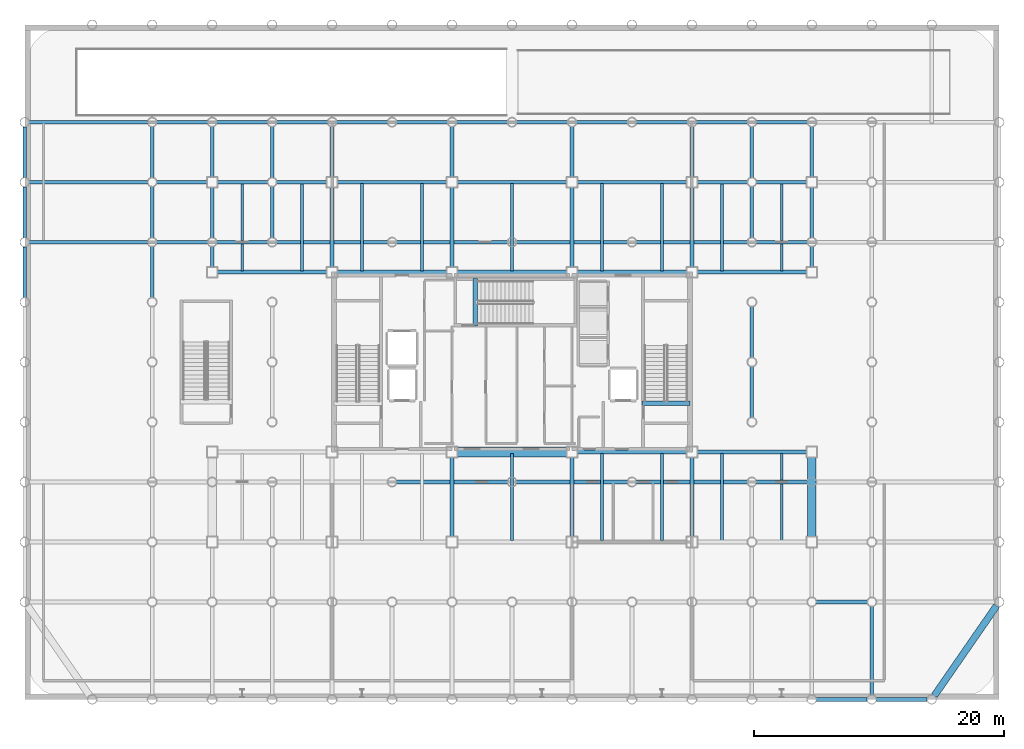
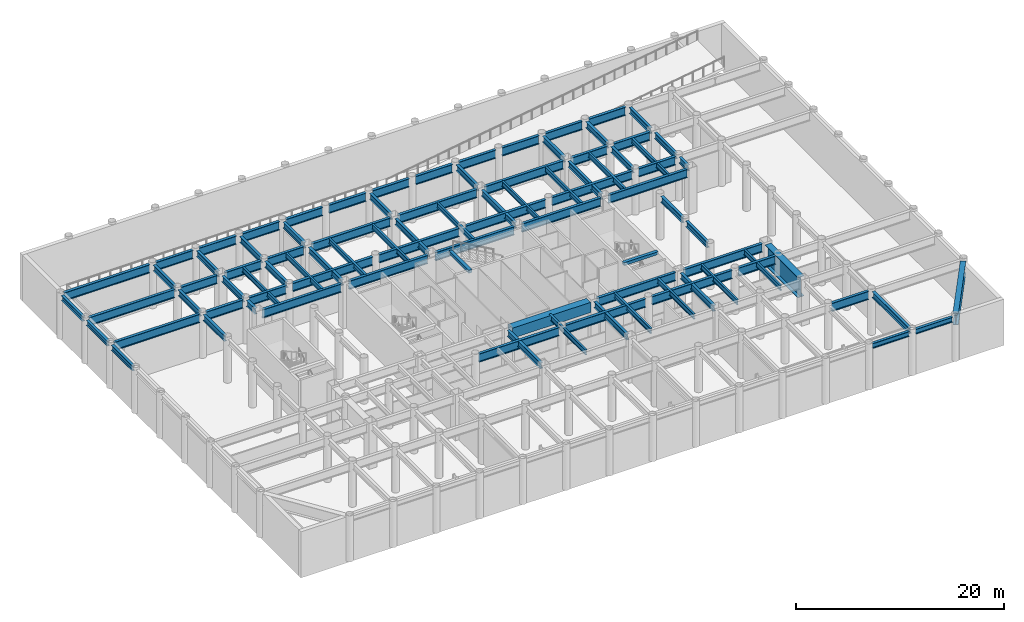
# One storey, part 6 of 16: 92 beams.
"""IFC4 building model written with IfcOpenShell, lengths in metres."""

from ifc_helpers import new_model, si_unit, direction, frame, origin, origin_2d, place, context, subcontext, project, spatial, rectangle, i_section, extrude, material, material_profile, profile_set, type_object, element, save


model = new_model("IFC4")

# Units and contexts
model_context = context("Model", 3, precision=1e-05, world=origin(), true_north=direction((0.0, 1.0)))
body_context = subcontext(model_context, "Body", "Model", "MODEL_VIEW")
ifc_project = project(units=[si_unit("LENGTHUNIT", "METRE"), si_unit("AREAUNIT", "SQUARE_METRE"), si_unit("VOLUMEUNIT", "CUBIC_METRE"), si_unit("PLANEANGLEUNIT", "RADIAN"), si_unit("MASSUNIT", "GRAM", prefix="KILO")], contexts=[model_context])

# Site, building, storey
site_placement = place(None, origin())
site = spatial("IfcSite", under=ifc_project, at=site_placement, CompositionType="ELEMENT")
building_placement = place(site_placement, origin())
building = spatial("IfcBuilding", under=site, at=building_placement, Name="Kallvorn Hotel Tower", CompositionType="ELEMENT")
storey_placement = place(building_placement, frame((0.0, 0.0, -5.39990234375)))
storey = spatial("IfcBuildingStorey", under=building, at=storey_placement, Name="B1", CompositionType="ELEMENT", Elevation=-5.39990234375)

# Beams
ifc_material_1 = material(Name="Structural steel S355JR", Category="steel")
ifc_material_profile_1 = material_profile(ifc_material_1, i_section(OverallWidth=0.300048828125, OverallDepth=1.0, WebThickness=0.01904296875, FlangeThickness=0.035888671875, at=origin_2d()), Name="HE 1000 B")
ifc_profile_set_1 = profile_set([ifc_material_profile_1], Name="Structural steel S355JR")
beam_type_1 = type_object("IfcBeamType", Name="BM_HE1000B", PredefinedType="BEAM", material=ifc_profile_set_1)
beam_1_placement = place(storey_placement, frame((24.35595703125, -19.199951171875, 4.64990234375), z_axis=(1.0, 0.0, 0.0), x_axis=(0.0, 1.0, 0.0)))
element("IfcBeam", 1, at=beam_1_placement, inside=storey, type_object=beam_type_1, Name="L00 Primary X-Girder 15", PredefinedType="BEAM", context=body_context, shape_type="SweptSolid", body=[
    extrude(i_section(OverallWidth=0.300048828125, OverallDepth=1.0, WebThickness=0.01904296875, FlangeThickness=0.035888671875, at=origin_2d()), origin(), (0.0, 0.0, 1.0), 4.088134765625),
])
for number, where, z_axis, x_axis, name in (
    (2, (-9.243896484375, -9.60009765625, 4.64990234375), (1.0, 0.0, 0.0), (0.0, 1.0, 0.0), "L00 Primary X-Girder 32"),
    (3, (0.35595703125, -9.60009765625, 4.64990234375), (1.0, 0.0, 0.0), (0.0, 1.0, 0.0), "L00 Primary X-Girder 33"),
    (4, (9.9560546875, -9.60009765625, 4.64990234375), (1.0, 0.0, 0.0), (0.0, 1.0, 0.0), "L00 Primary X-Girder 34"),
):
    element("IfcBeam", number, at=place(storey_placement, frame(where, z_axis=z_axis, x_axis=x_axis)), inside=storey, type_object=beam_type_1, Name=name, PredefinedType="BEAM", context=body_context, shape_type="SweptSolid", body=[
        extrude(i_section(OverallWidth=0.300048828125, OverallDepth=1.0, WebThickness=0.01904296875, FlangeThickness=0.035888671875, at=origin_2d()), origin(), (0.0, 0.0, 1.0), 8.887939453125),
    ])
beam_2_placement = place(storey_placement, frame((19.555908203125, -9.60009765625, 4.64990234375), z_axis=(1.0, 0.0, 0.0), x_axis=(0.0, 1.0, 0.0)))
element("IfcBeam", 5, at=beam_2_placement, inside=storey, type_object=beam_type_1, Name="L00 Primary X-Girder 35", PredefinedType="BEAM", context=body_context, shape_type="SweptSolid", body=[
    extrude(i_section(OverallWidth=0.300048828125, OverallDepth=1.0, WebThickness=0.01904296875, FlangeThickness=0.035888671875, at=origin_2d()), origin(), (0.0, 0.0, 1.0), 4.088134765625),
])
for number, where, z_axis, x_axis, name in (
    (6, (5.22509765625, -7.199951171875, 4.64990234375), (1.0, 0.0, 0.0), (0.0, 1.0, 0.0), "L00 Primary X-Girder 40"),
    (7, (14.824951171875, -7.199951171875, 4.64990234375), (1.0, 0.0, 0.0), (0.0, 1.0, 0.0), "L00 Primary X-Girder 41"),
    (8, (-23.574951171875, 7.199951171875, 4.64990234375), (1.0, 0.0, 0.0), (0.0, 1.0, 0.0), "L00 Primary X-Girder 42"),
    (9, (-13.97509765625, 7.199951171875, 4.64990234375), (1.0, 0.0, 0.0), (0.0, 1.0, 0.0), "L00 Primary X-Girder 43"),
    (10, (-4.375, 7.199951171875, 4.64990234375), (1.0, 0.0, 0.0), (0.0, 1.0, 0.0), "L00 Primary X-Girder 44"),
    (11, (5.22509765625, 7.199951171875, 4.64990234375), (1.0, 0.0, 0.0), (0.0, 1.0, 0.0), "L00 Primary X-Girder 45"),
    (12, (14.824951171875, 7.199951171875, 4.64990234375), (1.0, 0.0, 0.0), (0.0, 1.0, 0.0), "L00 Primary X-Girder 46"),
):
    element("IfcBeam", number, at=place(storey_placement, frame(where, z_axis=z_axis, x_axis=x_axis)), inside=storey, type_object=beam_type_1, Name=name, PredefinedType="BEAM", context=body_context, shape_type="SweptSolid", body=[
        extrude(i_section(OverallWidth=0.300048828125, OverallDepth=1.0, WebThickness=0.01904296875, FlangeThickness=0.035888671875, at=origin_2d()), origin(), (0.0, 0.0, 1.0), 8.75),
    ])
beam_3_placement = place(storey_placement, frame((-38.64404296875, 9.60009765625, 4.64990234375), z_axis=(1.0, 0.0, 0.0), x_axis=(0.0, 1.0, 0.0)))
element("IfcBeam", 13, at=beam_3_placement, inside=storey, type_object=beam_type_1, Name="L00 Primary X-Girder 47", PredefinedType="BEAM", context=body_context, shape_type="SweptSolid", body=[
    extrude(i_section(OverallWidth=0.300048828125, OverallDepth=1.0, WebThickness=0.01904296875, FlangeThickness=0.035888671875, at=origin_2d()), origin(), (0.0, 0.0, 1.0), 9.488037109375),
])
for number, where, z_axis, x_axis, name in (
    (14, (-28.444091796875, 9.60009765625, 4.64990234375), (1.0, 0.0, 0.0), (0.0, 1.0, 0.0), "L00 Primary X-Girder 48"),
    (15, (-23.64404296875, 9.60009765625, 4.64990234375), (1.0, 0.0, 0.0), (0.0, 1.0, 0.0), "L00 Primary X-Girder 49"),
):
    element("IfcBeam", number, at=place(storey_placement, frame(where, z_axis=z_axis, x_axis=x_axis)), inside=storey, type_object=beam_type_1, Name=name, PredefinedType="BEAM", context=body_context, shape_type="SweptSolid", body=[
        extrude(i_section(OverallWidth=0.300048828125, OverallDepth=1.0, WebThickness=0.01904296875, FlangeThickness=0.035888671875, at=origin_2d()), origin(), (0.0, 0.0, 1.0), 4.088134765625),
    ])
for number, where, z_axis, x_axis, name in (
    (16, (-18.843994140625, 9.60009765625, 4.64990234375), (1.0, 0.0, 0.0), (0.0, 1.0, 0.0), "L00 Primary X-Girder 50"),
    (17, (-9.243896484375, 9.60009765625, 4.64990234375), (1.0, 0.0, 0.0), (0.0, 1.0, 0.0), "L00 Primary X-Girder 51"),
    (18, (0.35595703125, 9.60009765625, 4.64990234375), (1.0, 0.0, 0.0), (0.0, 1.0, 0.0), "L00 Primary X-Girder 52"),
    (19, (9.9560546875, 9.60009765625, 4.64990234375), (1.0, 0.0, 0.0), (0.0, 1.0, 0.0), "L00 Primary X-Girder 53"),
):
    element("IfcBeam", number, at=place(storey_placement, frame(where, z_axis=z_axis, x_axis=x_axis)), inside=storey, type_object=beam_type_1, Name=name, PredefinedType="BEAM", context=body_context, shape_type="SweptSolid", body=[
        extrude(i_section(OverallWidth=0.300048828125, OverallDepth=1.0, WebThickness=0.01904296875, FlangeThickness=0.035888671875, at=origin_2d()), origin(), (0.0, 0.0, 1.0), 8.887939453125),
    ])
beam_4_placement = place(storey_placement, frame((19.555908203125, 9.60009765625, 4.64990234375), z_axis=(1.0, 0.0, 0.0), x_axis=(0.0, 1.0, 0.0)))
element("IfcBeam", 20, at=beam_4_placement, inside=storey, type_object=beam_type_1, Name="L00 Primary X-Girder 54", PredefinedType="BEAM", context=body_context, shape_type="SweptSolid", body=[
    extrude(i_section(OverallWidth=0.300048828125, OverallDepth=1.0, WebThickness=0.01904296875, FlangeThickness=0.035888671875, at=origin_2d()), origin(), (0.0, 0.0, 1.0), 4.088134765625),
])
beam_5_placement = place(storey_placement, frame((-38.64404296875, 14.39990234375, 4.64990234375), z_axis=(1.0, 0.0, 0.0), x_axis=(0.0, 1.0, 0.0)))
element("IfcBeam", 21, at=beam_5_placement, inside=storey, type_object=beam_type_1, Name="L00 Primary X-Girder 57", PredefinedType="BEAM", context=body_context, shape_type="SweptSolid", body=[
    extrude(i_section(OverallWidth=0.300048828125, OverallDepth=1.0, WebThickness=0.01904296875, FlangeThickness=0.035888671875, at=origin_2d()), origin(), (0.0, 0.0, 1.0), 9.488037109375),
])
for number, where, z_axis, x_axis, name in (
    (22, (-28.444091796875, 14.39990234375, 4.64990234375), (1.0, 0.0, 0.0), (0.0, 1.0, 0.0), "L00 Primary X-Girder 58"),
    (23, (-23.574951171875, 14.39990234375, 4.64990234375), (1.0, 0.0, 0.0), (0.0, 1.0, 0.0), "L00 Primary X-Girder 59"),
    (24, (-18.843994140625, 14.39990234375, 4.64990234375), (1.0, 0.0, 0.0), (0.0, 1.0, 0.0), "L00 Primary X-Girder 60"),
):
    element("IfcBeam", number, at=place(storey_placement, frame(where, z_axis=z_axis, x_axis=x_axis)), inside=storey, type_object=beam_type_1, Name=name, PredefinedType="BEAM", context=body_context, shape_type="SweptSolid", body=[
        extrude(i_section(OverallWidth=0.300048828125, OverallDepth=1.0, WebThickness=0.01904296875, FlangeThickness=0.035888671875, at=origin_2d()), origin(), (0.0, 0.0, 1.0), 4.01904296875),
    ])
for number, where, z_axis, x_axis, name in (
    (25, (-13.97509765625, 14.39990234375, 4.64990234375), (1.0, 0.0, 0.0), (0.0, 1.0, 0.0), "L00 Primary X-Girder 61"),
    (26, (-4.375, 14.39990234375, 4.64990234375), (1.0, 0.0, 0.0), (0.0, 1.0, 0.0), "L00 Primary X-Girder 62"),
    (27, (5.22509765625, 14.39990234375, 4.64990234375), (1.0, 0.0, 0.0), (0.0, 1.0, 0.0), "L00 Primary X-Girder 63"),
):
    element("IfcBeam", number, at=place(storey_placement, frame(where, z_axis=z_axis, x_axis=x_axis)), inside=storey, type_object=beam_type_1, Name=name, PredefinedType="BEAM", context=body_context, shape_type="SweptSolid", body=[
        extrude(i_section(OverallWidth=0.300048828125, OverallDepth=1.0, WebThickness=0.01904296875, FlangeThickness=0.035888671875, at=origin_2d()), origin(), (0.0, 0.0, 1.0), 8.75),
    ])
for number, where, z_axis, x_axis, name in (
    (28, (14.824951171875, 14.39990234375, 4.64990234375), (1.0, 0.0, 0.0), (0.0, 1.0, 0.0), "L00 Primary X-Girder 64"),
    (29, (19.555908203125, 14.39990234375, 4.64990234375), (1.0, 0.0, 0.0), (0.0, 1.0, 0.0), "L00 Primary X-Girder 65"),
):
    element("IfcBeam", number, at=place(storey_placement, frame(where, z_axis=z_axis, x_axis=x_axis)), inside=storey, type_object=beam_type_1, Name=name, PredefinedType="BEAM", context=body_context, shape_type="SweptSolid", body=[
        extrude(i_section(OverallWidth=0.300048828125, OverallDepth=1.0, WebThickness=0.01904296875, FlangeThickness=0.035888671875, at=origin_2d()), origin(), (0.0, 0.0, 1.0), 4.01904296875),
    ])
beam_6_placement = place(storey_placement, frame((-38.64404296875, 19.199951171875, 4.64990234375), z_axis=(1.0, 0.0, 0.0), x_axis=(0.0, 1.0, 0.0)))
element("IfcBeam", 30, at=beam_6_placement, inside=storey, type_object=beam_type_1, Name="L00 Primary X-Girder 68", PredefinedType="BEAM", context=body_context, shape_type="SweptSolid", body=[
    extrude(i_section(OverallWidth=0.300048828125, OverallDepth=1.0, WebThickness=0.01904296875, FlangeThickness=0.035888671875, at=origin_2d()), origin(), (0.0, 0.0, 1.0), 9.488037109375),
])
for number, where, z_axis, x_axis, name in (
    (31, (-28.444091796875, 19.199951171875, 4.64990234375), (1.0, 0.0, 0.0), (0.0, 1.0, 0.0), "L00 Primary X-Girder 69"),
    (32, (-23.64404296875, 19.199951171875, 4.64990234375), (1.0, 0.0, 0.0), (0.0, 1.0, 0.0), "L00 Primary X-Girder 70"),
):
    element("IfcBeam", number, at=place(storey_placement, frame(where, z_axis=z_axis, x_axis=x_axis)), inside=storey, type_object=beam_type_1, Name=name, PredefinedType="BEAM", context=body_context, shape_type="SweptSolid", body=[
        extrude(i_section(OverallWidth=0.300048828125, OverallDepth=1.0, WebThickness=0.01904296875, FlangeThickness=0.035888671875, at=origin_2d()), origin(), (0.0, 0.0, 1.0), 4.088134765625),
    ])
for number, where, z_axis, x_axis, name in (
    (33, (-18.843994140625, 19.199951171875, 4.64990234375), (1.0, 0.0, 0.0), (0.0, 1.0, 0.0), "L00 Primary X-Girder 71"),
    (34, (-14.0439453125, 19.199951171875, 4.64990234375), (1.0, 0.0, 0.0), (0.0, 1.0, 0.0), "L00 Primary X-Girder 72"),
    (35, (-9.243896484375, 19.199951171875, 4.64990234375), (1.0, 0.0, 0.0), (0.0, 1.0, 0.0), "L00 Primary X-Girder 73"),
):
    element("IfcBeam", number, at=place(storey_placement, frame(where, z_axis=z_axis, x_axis=x_axis)), inside=storey, type_object=beam_type_1, Name=name, PredefinedType="BEAM", context=body_context, shape_type="SweptSolid", body=[
        extrude(i_section(OverallWidth=0.300048828125, OverallDepth=1.0, WebThickness=0.01904296875, FlangeThickness=0.035888671875, at=origin_2d()), origin(), (0.0, 0.0, 1.0), 4.087890625),
    ])
for number, where, z_axis, x_axis, name in (
    (36, (-4.444091796875, 19.199951171875, 4.64990234375), (1.0, 0.0, 0.0), (0.0, 1.0, 0.0), "L00 Primary X-Girder 74"),
    (37, (0.35595703125, 19.199951171875, 4.64990234375), (1.0, 0.0, 0.0), (0.0, 1.0, 0.0), "L00 Primary X-Girder 75"),
):
    element("IfcBeam", number, at=place(storey_placement, frame(where, z_axis=z_axis, x_axis=x_axis)), inside=storey, type_object=beam_type_1, Name=name, PredefinedType="BEAM", context=body_context, shape_type="SweptSolid", body=[
        extrude(i_section(OverallWidth=0.300048828125, OverallDepth=1.0, WebThickness=0.01904296875, FlangeThickness=0.035888671875, at=origin_2d()), origin(), (0.0, 0.0, 1.0), 4.088134765625),
    ])
for number, where, z_axis, x_axis, name in (
    (38, (5.156005859375, 19.199951171875, 4.64990234375), (1.0, 0.0, 0.0), (0.0, 1.0, 0.0), "L00 Primary X-Girder 76"),
    (39, (9.9560546875, 19.199951171875, 4.64990234375), (1.0, 0.0, 0.0), (0.0, 1.0, 0.0), "L00 Primary X-Girder 77"),
    (40, (14.756103515625, 19.199951171875, 4.64990234375), (1.0, 0.0, 0.0), (0.0, 1.0, 0.0), "L00 Primary X-Girder 78"),
):
    element("IfcBeam", number, at=place(storey_placement, frame(where, z_axis=z_axis, x_axis=x_axis)), inside=storey, type_object=beam_type_1, Name=name, PredefinedType="BEAM", context=body_context, shape_type="SweptSolid", body=[
        extrude(i_section(OverallWidth=0.300048828125, OverallDepth=1.0, WebThickness=0.01904296875, FlangeThickness=0.035888671875, at=origin_2d()), origin(), (0.0, 0.0, 1.0), 4.087890625),
    ])
beam_7_placement = place(storey_placement, frame((19.555908203125, 19.199951171875, 4.64990234375), z_axis=(1.0, 0.0, 0.0), x_axis=(0.0, 1.0, 0.0)))
element("IfcBeam", 41, at=beam_7_placement, inside=storey, type_object=beam_type_1, Name="L00 Primary X-Girder 79", PredefinedType="BEAM", context=body_context, shape_type="SweptSolid", body=[
    extrude(i_section(OverallWidth=0.300048828125, OverallDepth=1.0, WebThickness=0.01904296875, FlangeThickness=0.035888671875, at=origin_2d()), origin(), (0.0, 0.0, 1.0), 4.088134765625),
])
ifc_material_2 = material(Name="Structural steel S355JR", Category="steel")
ifc_material_profile_2 = material_profile(ifc_material_2, i_section(OverallWidth=0.300048828125, OverallDepth=0.60009765625, WebThickness=0.015380859375, FlangeThickness=0.030029296875, at=origin_2d()), Name="HE 600 B")
ifc_profile_set_2 = profile_set([ifc_material_profile_2], Name="Structural steel S355JR")
beam_type_2 = type_object("IfcBeamType", Name="BM_HE600B", PredefinedType="SPANDREL", material=ifc_profile_set_2)
beam_8_placement = place(storey_placement, frame((24.37109375, -27.0, 4.849853515625), z_axis=(1.0, 0.0, 0.0), x_axis=(0.0, 1.0, 0.0)))
element("IfcBeam", 42, at=beam_8_placement, inside=storey, type_object=beam_type_2, Name="L00 Perimeter Spandrel 186", PredefinedType="SPANDREL", context=body_context, shape_type="SweptSolid", body=[
    extrude(i_section(OverallWidth=0.300048828125, OverallDepth=0.60009765625, WebThickness=0.015380859375, FlangeThickness=0.030029296875, at=origin_2d()), origin(), (0.0, 0.0, 1.0), 4.057861328125),
])
for number, where, z_axis, x_axis, name in (
    (43, (29.1708984375, -27.0, 4.849853515625), (1.0, 0.0, 0.0), (0.0, 1.0, 0.0), "L00 Perimeter Spandrel 187"),
    (44, (-39.0, 5.1708984375, 4.849853515625), (0.0, 1.0, 0.0), (-1.0, 0.0, 0.0), "L00 Perimeter Spandrel 207"),
    (45, (-39.0, 9.970947265625, 4.849853515625), (0.0, 1.0, 0.0), (-1.0, 0.0, 0.0), "L00 Perimeter Spandrel 208"),
    (46, (-39.0, 14.77099609375, 4.849853515625), (0.0, 1.0, 0.0), (-1.0, 0.0, 0.0), "L00 Perimeter Spandrel 209"),
):
    element("IfcBeam", number, at=place(storey_placement, frame(where, z_axis=z_axis, x_axis=x_axis)), inside=storey, type_object=beam_type_2, Name=name, PredefinedType="SPANDREL", context=body_context, shape_type="SweptSolid", body=[
        extrude(i_section(OverallWidth=0.300048828125, OverallDepth=0.60009765625, WebThickness=0.015380859375, FlangeThickness=0.030029296875, at=origin_2d()), origin(), (0.0, 0.0, 1.0), 4.05810546875),
    ])
ifc_material_3 = material(Name="Structural steel S355JR", Category="steel")
ifc_material_profile_3 = material_profile(ifc_material_3, i_section(OverallWidth=0.300048828125, OverallDepth=0.699951171875, WebThickness=0.01708984375, FlangeThickness=0.031982421875, at=origin_2d()), Name="HE 700 B")
ifc_profile_set_3 = profile_set([ifc_material_profile_3], Name="Structural steel S355JR")
beam_type_3 = type_object("IfcBeamType", Name="BM_HE700B", PredefinedType="BEAM", material=ifc_profile_set_3)
for number, where, z_axis, x_axis, name in (
    (47, (-28.800048828125, 5.156005859375, 4.7998046875), (0.0, 1.0, 0.0), (-1.0, 0.0, 0.0), "L00 Primary Y-Girder 88"),
    (48, (-28.800048828125, 9.9560546875, 4.7998046875), (0.0, 1.0, 0.0), (-1.0, 0.0, 0.0), "L00 Primary Y-Girder 89"),
    (49, (-28.800048828125, 14.756103515625, 4.7998046875), (0.0, 1.0, 0.0), (-1.0, 0.0, 0.0), "L00 Primary Y-Girder 90"),
):
    element("IfcBeam", number, at=place(storey_placement, frame(where, z_axis=z_axis, x_axis=x_axis)), inside=storey, type_object=beam_type_3, Name=name, PredefinedType="BEAM", context=body_context, shape_type="SweptSolid", body=[
        extrude(i_section(OverallWidth=0.300048828125, OverallDepth=0.699951171875, WebThickness=0.01708984375, FlangeThickness=0.031982421875, at=origin_2d()), origin(), (0.0, 0.0, 1.0), 4.087890625),
    ])
beam_9_placement = place(storey_placement, frame((-24.0, 7.625, 4.7998046875), z_axis=(0.0, 1.0, 0.0), x_axis=(-1.0, 0.0, 0.0)))
element("IfcBeam", 50, at=beam_9_placement, inside=storey, type_object=beam_type_3, Name="L00 Primary Y-Girder 96", PredefinedType="BEAM", context=body_context, shape_type="SweptSolid", body=[
    extrude(i_section(OverallWidth=0.300048828125, OverallDepth=0.699951171875, WebThickness=0.01708984375, FlangeThickness=0.031982421875, at=origin_2d()), origin(), (0.0, 0.0, 1.0), 1.618896484375),
])
for number, where, z_axis, x_axis, name in (
    (51, (-24.0, 9.9560546875, 4.7998046875), (0.0, 1.0, 0.0), (-1.0, 0.0, 0.0), "L00 Primary Y-Girder 97"),
    (52, (-24.0, 14.824951171875, 4.7998046875), (0.0, 1.0, 0.0), (-1.0, 0.0, 0.0), "L00 Primary Y-Girder 98"),
):
    element("IfcBeam", number, at=place(storey_placement, frame(where, z_axis=z_axis, x_axis=x_axis)), inside=storey, type_object=beam_type_3, Name=name, PredefinedType="BEAM", context=body_context, shape_type="SweptSolid", body=[
        extrude(i_section(OverallWidth=0.300048828125, OverallDepth=0.699951171875, WebThickness=0.01708984375, FlangeThickness=0.031982421875, at=origin_2d()), origin(), (0.0, 0.0, 1.0), 4.01904296875),
    ])
for number, where, z_axis, x_axis, name in (
    (53, (-19.199951171875, 9.9560546875, 4.7998046875), (0.0, 1.0, 0.0), (-1.0, 0.0, 0.0), "L00 Primary Y-Girder 107"),
    (54, (-19.199951171875, 14.756103515625, 4.7998046875), (0.0, 1.0, 0.0), (-1.0, 0.0, 0.0), "L00 Primary Y-Girder 108"),
):
    element("IfcBeam", number, at=place(storey_placement, frame(where, z_axis=z_axis, x_axis=x_axis)), inside=storey, type_object=beam_type_3, Name=name, PredefinedType="BEAM", context=body_context, shape_type="SweptSolid", body=[
        extrude(i_section(OverallWidth=0.300048828125, OverallDepth=0.699951171875, WebThickness=0.01708984375, FlangeThickness=0.031982421875, at=origin_2d()), origin(), (0.0, 0.0, 1.0), 4.087890625),
    ])
beam_10_placement = place(storey_placement, frame((-14.39990234375, 7.625, 4.7998046875), z_axis=(0.0, 1.0, 0.0), x_axis=(-1.0, 0.0, 0.0)))
element("IfcBeam", 55, at=beam_10_placement, inside=storey, type_object=beam_type_3, Name="L00 Primary Y-Girder 113", PredefinedType="BEAM", context=body_context, shape_type="SweptSolid", body=[
    extrude(i_section(OverallWidth=0.300048828125, OverallDepth=0.699951171875, WebThickness=0.01708984375, FlangeThickness=0.031982421875, at=origin_2d()), origin(), (0.0, 0.0, 1.0), 6.35009765625),
])
beam_11_placement = place(storey_placement, frame((-14.39990234375, 14.824951171875, 4.7998046875), z_axis=(0.0, 1.0, 0.0), x_axis=(-1.0, 0.0, 0.0)))
element("IfcBeam", 56, at=beam_11_placement, inside=storey, type_object=beam_type_3, Name="L00 Primary Y-Girder 114", PredefinedType="BEAM", context=body_context, shape_type="SweptSolid", body=[
    extrude(i_section(OverallWidth=0.300048828125, OverallDepth=0.699951171875, WebThickness=0.01708984375, FlangeThickness=0.031982421875, at=origin_2d()), origin(), (0.0, 0.0, 1.0), 4.01904296875),
])
for number, where, z_axis, x_axis, name in (
    (57, (-4.800048828125, -13.97509765625, 4.7998046875), (0.0, 1.0, 0.0), (-1.0, 0.0, 0.0), "L00 Primary Y-Girder 122"),
    (58, (-4.800048828125, 7.625, 4.7998046875), (0.0, 1.0, 0.0), (-1.0, 0.0, 0.0), "L00 Primary Y-Girder 123"),
):
    element("IfcBeam", number, at=place(storey_placement, frame(where, z_axis=z_axis, x_axis=x_axis)), inside=storey, type_object=beam_type_3, Name=name, PredefinedType="BEAM", context=body_context, shape_type="SweptSolid", body=[
        extrude(i_section(OverallWidth=0.300048828125, OverallDepth=0.699951171875, WebThickness=0.01708984375, FlangeThickness=0.031982421875, at=origin_2d()), origin(), (0.0, 0.0, 1.0), 6.35009765625),
    ])
beam_12_placement = place(storey_placement, frame((-4.800048828125, 14.824951171875, 4.7998046875), z_axis=(0.0, 1.0, 0.0), x_axis=(-1.0, 0.0, 0.0)))
element("IfcBeam", 59, at=beam_12_placement, inside=storey, type_object=beam_type_3, Name="L00 Primary Y-Girder 124", PredefinedType="BEAM", context=body_context, shape_type="SweptSolid", body=[
    extrude(i_section(OverallWidth=0.300048828125, OverallDepth=0.699951171875, WebThickness=0.01708984375, FlangeThickness=0.031982421875, at=origin_2d()), origin(), (0.0, 0.0, 1.0), 4.01904296875),
])
for number, where, z_axis, x_axis, name in (
    (60, (4.800048828125, -13.97509765625, 4.7998046875), (0.0, 1.0, 0.0), (-1.0, 0.0, 0.0), "L00 Primary Y-Girder 132"),
    (61, (4.800048828125, 7.625, 4.7998046875), (0.0, 1.0, 0.0), (-1.0, 0.0, 0.0), "L00 Primary Y-Girder 133"),
):
    element("IfcBeam", number, at=place(storey_placement, frame(where, z_axis=z_axis, x_axis=x_axis)), inside=storey, type_object=beam_type_3, Name=name, PredefinedType="BEAM", context=body_context, shape_type="SweptSolid", body=[
        extrude(i_section(OverallWidth=0.300048828125, OverallDepth=0.699951171875, WebThickness=0.01708984375, FlangeThickness=0.031982421875, at=origin_2d()), origin(), (0.0, 0.0, 1.0), 6.35009765625),
    ])
beam_13_placement = place(storey_placement, frame((4.800048828125, 14.824951171875, 4.7998046875), z_axis=(0.0, 1.0, 0.0), x_axis=(-1.0, 0.0, 0.0)))
element("IfcBeam", 62, at=beam_13_placement, inside=storey, type_object=beam_type_3, Name="L00 Primary Y-Girder 134", PredefinedType="BEAM", context=body_context, shape_type="SweptSolid", body=[
    extrude(i_section(OverallWidth=0.300048828125, OverallDepth=0.699951171875, WebThickness=0.01708984375, FlangeThickness=0.031982421875, at=origin_2d()), origin(), (0.0, 0.0, 1.0), 4.01904296875),
])
for number, where, z_axis, x_axis, name in (
    (63, (14.39990234375, -13.97509765625, 4.7998046875), (0.0, 1.0, 0.0), (-1.0, 0.0, 0.0), "L00 Primary Y-Girder 142"),
    (64, (14.39990234375, 7.625, 4.7998046875), (0.0, 1.0, 0.0), (-1.0, 0.0, 0.0), "L00 Primary Y-Girder 143"),
):
    element("IfcBeam", number, at=place(storey_placement, frame(where, z_axis=z_axis, x_axis=x_axis)), inside=storey, type_object=beam_type_3, Name=name, PredefinedType="BEAM", context=body_context, shape_type="SweptSolid", body=[
        extrude(i_section(OverallWidth=0.300048828125, OverallDepth=0.699951171875, WebThickness=0.01708984375, FlangeThickness=0.031982421875, at=origin_2d()), origin(), (0.0, 0.0, 1.0), 6.35009765625),
    ])
beam_14_placement = place(storey_placement, frame((14.39990234375, 14.824951171875, 4.7998046875), z_axis=(0.0, 1.0, 0.0), x_axis=(-1.0, 0.0, 0.0)))
element("IfcBeam", 65, at=beam_14_placement, inside=storey, type_object=beam_type_3, Name="L00 Primary Y-Girder 144", PredefinedType="BEAM", context=body_context, shape_type="SweptSolid", body=[
    extrude(i_section(OverallWidth=0.300048828125, OverallDepth=0.699951171875, WebThickness=0.01708984375, FlangeThickness=0.031982421875, at=origin_2d()), origin(), (0.0, 0.0, 1.0), 4.01904296875),
])
for number, where, z_axis, x_axis, name in (
    (66, (19.199951171875, -4.444091796875, 4.7998046875), (0.0, 1.0, 0.0), (-1.0, 0.0, 0.0), "L00 Primary Y-Girder 150"),
    (67, (19.199951171875, 0.35595703125, 4.7998046875), (0.0, 1.0, 0.0), (-1.0, 0.0, 0.0), "L00 Primary Y-Girder 151"),
):
    element("IfcBeam", number, at=place(storey_placement, frame(where, z_axis=z_axis, x_axis=x_axis)), inside=storey, type_object=beam_type_3, Name=name, PredefinedType="BEAM", context=body_context, shape_type="SweptSolid", body=[
        extrude(i_section(OverallWidth=0.300048828125, OverallDepth=0.699951171875, WebThickness=0.01708984375, FlangeThickness=0.031982421875, at=origin_2d()), origin(), (0.0, 0.0, 1.0), 4.088134765625),
    ])
for number, where, z_axis, x_axis, name in (
    (68, (19.199951171875, 9.9560546875, 4.7998046875), (0.0, 1.0, 0.0), (-1.0, 0.0, 0.0), "L00 Primary Y-Girder 153"),
    (69, (19.199951171875, 14.756103515625, 4.7998046875), (0.0, 1.0, 0.0), (-1.0, 0.0, 0.0), "L00 Primary Y-Girder 154"),
):
    element("IfcBeam", number, at=place(storey_placement, frame(where, z_axis=z_axis, x_axis=x_axis)), inside=storey, type_object=beam_type_3, Name=name, PredefinedType="BEAM", context=body_context, shape_type="SweptSolid", body=[
        extrude(i_section(OverallWidth=0.300048828125, OverallDepth=0.699951171875, WebThickness=0.01708984375, FlangeThickness=0.031982421875, at=origin_2d()), origin(), (0.0, 0.0, 1.0), 4.087890625),
    ])
beam_15_placement = place(storey_placement, frame((24.0, 7.625, 4.7998046875), z_axis=(0.0, 1.0, 0.0), x_axis=(-1.0, 0.0, 0.0)))
element("IfcBeam", 70, at=beam_15_placement, inside=storey, type_object=beam_type_3, Name="L00 Primary Y-Girder 160", PredefinedType="BEAM", context=body_context, shape_type="SweptSolid", body=[
    extrude(i_section(OverallWidth=0.300048828125, OverallDepth=0.699951171875, WebThickness=0.01708984375, FlangeThickness=0.031982421875, at=origin_2d()), origin(), (0.0, 0.0, 1.0), 1.618896484375),
])
for number, where, z_axis, x_axis, name in (
    (71, (24.0, 9.9560546875, 4.7998046875), (0.0, 1.0, 0.0), (-1.0, 0.0, 0.0), "L00 Primary Y-Girder 161"),
    (72, (24.0, 14.824951171875, 4.7998046875), (0.0, 1.0, 0.0), (-1.0, 0.0, 0.0), "L00 Primary Y-Girder 162"),
):
    element("IfcBeam", number, at=place(storey_placement, frame(where, z_axis=z_axis, x_axis=x_axis)), inside=storey, type_object=beam_type_3, Name=name, PredefinedType="BEAM", context=body_context, shape_type="SweptSolid", body=[
        extrude(i_section(OverallWidth=0.300048828125, OverallDepth=0.699951171875, WebThickness=0.01708984375, FlangeThickness=0.031982421875, at=origin_2d()), origin(), (0.0, 0.0, 1.0), 4.01904296875),
    ])
beam_16_placement = place(storey_placement, frame((28.800048828125, -26.64404296875, 4.7998046875), z_axis=(0.0, 1.0, 0.0), x_axis=(-1.0, 0.0, 0.0)))
element("IfcBeam", 73, at=beam_16_placement, inside=storey, type_object=beam_type_3, Name="L00 Primary Y-Girder 164", PredefinedType="BEAM", context=body_context, shape_type="SweptSolid", body=[
    extrude(i_section(OverallWidth=0.300048828125, OverallDepth=0.699951171875, WebThickness=0.01708984375, FlangeThickness=0.031982421875, at=origin_2d()), origin(), (0.0, 0.0, 1.0), 7.088134765625),
])
ifc_material_4 = material(Name="Structural steel S355JR", Category="steel")
ifc_material_profile_4 = material_profile(ifc_material_4, i_section(OverallWidth=0.219970703125, OverallDepth=0.60009765625, WebThickness=0.011962890625, FlangeThickness=0.01904296875, at=origin_2d()), Name="IPE 600")
ifc_profile_set_4 = profile_set([ifc_material_profile_4], Name="Structural steel S355JR")
beam_type_4 = type_object("IfcBeamType", Name="BM_IPE600", PredefinedType="JOIST", material=ifc_profile_set_4)
for number, where, z_axis, x_axis, name in (
    (74, (-21.60009765625, 7.300048828125, 4.849853515625), (0.0, 1.0, 0.0), (-1.0, 0.0, 0.0), "L00 Secondary Composite Joist 223"),
    (75, (-16.800048828125, 7.300048828125, 4.849853515625), (0.0, 1.0, 0.0), (-1.0, 0.0, 0.0), "L00 Secondary Composite Joist 225"),
    (76, (-12.0, 7.300048828125, 4.849853515625), (0.0, 1.0, 0.0), (-1.0, 0.0, 0.0), "L00 Secondary Composite Joist 227"),
    (77, (-7.199951171875, 7.300048828125, 4.849853515625), (0.0, 1.0, 0.0), (-1.0, 0.0, 0.0), "L00 Secondary Composite Joist 229"),
    (78, (0.0, -14.300048828125, 4.849853515625), (0.0, 1.0, 0.0), (-1.0, 0.0, 0.0), "L00 Secondary Composite Joist 230"),
    (79, (0.0, 7.300048828125, 4.849853515625), (0.0, 1.0, 0.0), (-1.0, 0.0, 0.0), "L00 Secondary Composite Joist 231"),
    (80, (7.199951171875, -14.300048828125, 4.849853515625), (0.0, 1.0, 0.0), (-1.0, 0.0, 0.0), "L00 Secondary Composite Joist 232"),
    (81, (7.199951171875, 7.300048828125, 4.849853515625), (0.0, 1.0, 0.0), (-1.0, 0.0, 0.0), "L00 Secondary Composite Joist 233"),
    (82, (12.0, -14.300048828125, 4.849853515625), (0.0, 1.0, 0.0), (-1.0, 0.0, 0.0), "L00 Secondary Composite Joist 234"),
    (83, (12.0, 7.300048828125, 4.849853515625), (0.0, 1.0, 0.0), (-1.0, 0.0, 0.0), "L00 Secondary Composite Joist 235"),
    (84, (16.800048828125, -14.300048828125, 4.849853515625), (0.0, 1.0, 0.0), (-1.0, 0.0, 0.0), "L00 Secondary Composite Joist 236"),
    (85, (16.800048828125, 7.300048828125, 4.849853515625), (0.0, 1.0, 0.0), (-1.0, 0.0, 0.0), "L00 Secondary Composite Joist 237"),
    (86, (21.60009765625, -14.300048828125, 4.849853515625), (0.0, 1.0, 0.0), (-1.0, 0.0, 0.0), "L00 Secondary Composite Joist 238"),
    (87, (21.60009765625, 7.300048828125, 4.849853515625), (0.0, 1.0, 0.0), (-1.0, 0.0, 0.0), "L00 Secondary Composite Joist 239"),
):
    element("IfcBeam", number, at=place(storey_placement, frame(where, z_axis=z_axis, x_axis=x_axis)), inside=storey, type_object=beam_type_4, Name=name, PredefinedType="JOIST", context=body_context, shape_type="SweptSolid", body=[
        extrude(i_section(OverallWidth=0.219970703125, OverallDepth=0.60009765625, WebThickness=0.011962890625, FlangeThickness=0.01904296875, at=origin_2d()), origin(), (0.0, 0.0, 1.0), 7.0),
    ])
ifc_material_5 = material(Name="Structural steel S355JR", Category="steel")
ifc_material_profile_5 = material_profile(ifc_material_5, i_section(OverallWidth=0.550048828125, OverallDepth=1.39990234375, WebThickness=0.02490234375, FlangeThickness=0.044921875, at=origin_2d()), Name="PG 1400x550x25x45")
ifc_profile_set_5 = profile_set([ifc_material_profile_5], Name="Structural steel S355JR")
beam_type_5 = type_object("IfcBeamType", Name="BM_PG_1400", PredefinedType="BEAM", material=ifc_profile_set_5)
beam_17_placement = place(storey_placement, frame((38.788818359375, -19.5048828125, 4.449951171875), z_axis=(-0.569188202743, -0.82220726697, 0.0), x_axis=(0.82220726697, -0.569188202743, 0.0)))
element("IfcBeam", 88, at=beam_17_placement, inside=storey, type_object=beam_type_5, Name="L00 Rounded Corner Tie Beam 220", PredefinedType="BEAM", context=body_context, shape_type="SweptSolid", body=[
    extrude(i_section(OverallWidth=0.550048828125, OverallDepth=1.39990234375, WebThickness=0.02490234375, FlangeThickness=0.044921875, at=origin_2d()), origin(), (0.0, 0.0, 1.0), 8.744873046875),
])
ifc_material_6 = material(Name="Structural steel S355JR", Category="steel")
ifc_material_profile_6 = material_profile(ifc_material_6, i_section(OverallWidth=0.699951171875, OverallDepth=2.39990234375, WebThickness=0.031982421875, FlangeThickness=0.06005859375, at=origin_2d()), Name="PG 2400x700x32x60")
ifc_profile_set_6 = profile_set([ifc_material_profile_6], Name="Structural steel S355JR")
beam_type_6 = type_object("IfcBeamType", Name="BM_PG_2400", PredefinedType="BEAM", material=ifc_profile_set_6)
beam_18_placement = place(storey_placement, frame((24.0, -13.9599609375, 3.949951171875), z_axis=(0.0, 1.0, 0.0), x_axis=(-1.0, 0.0, 0.0)))
element("IfcBeam", 89, at=beam_18_placement, inside=storey, type_object=beam_type_6, Name="L00 Heavy Portal Girder E", PredefinedType="BEAM", context=body_context, shape_type="SweptSolid", body=[
    extrude(i_section(OverallWidth=0.699951171875, OverallDepth=2.39990234375, WebThickness=0.031982421875, FlangeThickness=0.06005859375, at=origin_2d()), origin(), (0.0, 0.0, 1.0), 6.320068359375),
])
ifc_material_7 = material(Name="Concrete C50/60", Category="concrete")
ifc_material_profile_7 = material_profile(ifc_material_7, rectangle(XDim=0.360107421875, YDim=0.340087890625, at=origin_2d()), Name="RC 360x340")
ifc_profile_set_7 = profile_set([ifc_material_profile_7], Name="Concrete C50/60")
beam_type_7 = type_object("IfcBeamType", Name="BM_RC_400x360", PredefinedType="BEAM", material=ifc_profile_set_7)
beam_19_placement = place(storey_placement, frame((14.239990234375, -3.31005859375, 4.97998046875), z_axis=(-1.0, 0.0, 0.0), x_axis=(0.0, -1.0, 0.0)))
element("IfcBeam", 90, at=beam_19_placement, inside=storey, type_object=beam_type_7, Name="L00 Stair ST2 Arrival Trimmer Beam", PredefinedType="BEAM", context=body_context, shape_type="SweptSolid", body=[
    extrude(rectangle(XDim=0.360107421875, YDim=0.340087890625, at=origin_2d()), origin(), (0.0, 0.0, 1.0), 3.820068359375),
])
beam_20_placement = place(storey_placement, frame((-2.9599609375, 2.8701171875, 4.97998046875), z_axis=(0.0, 1.0, 0.0), x_axis=(-1.0, 0.0, 0.0)))
element("IfcBeam", 91, at=beam_20_placement, inside=storey, type_object=beam_type_7, Name="L00 Stair ST3 Arrival Trimmer Beam", PredefinedType="BEAM", context=body_context, shape_type="SweptSolid", body=[
    extrude(rectangle(XDim=0.360107421875, YDim=0.340087890625, at=origin_2d()), origin(), (0.0, 0.0, 1.0), 3.81982421875),
])
ifc_material_8 = material(Name="Concrete C50/60", Category="concrete")
ifc_material_profile_8 = material_profile(ifc_material_8, rectangle(XDim=0.800048828125, YDim=1.199951171875, at=origin_2d()), Name="RC 800x1200")
ifc_profile_set_8 = profile_set([ifc_material_profile_8], Name="Concrete C50/60")
beam_type_8 = type_object("IfcBeamType", Name="BM_RC_800x1200", PredefinedType="T_BEAM", material=ifc_profile_set_8)
beam_21_placement = place(storey_placement, frame((-4.35009765625, -7.199951171875, 4.5498046875), z_axis=(1.0, 0.0, 0.0), x_axis=(0.0, 1.0, 0.0)))
element("IfcBeam", 92, at=beam_21_placement, inside=storey, type_object=beam_type_8, Name="B1 Core Coupling Beam South", PredefinedType="T_BEAM", context=body_context, shape_type="SweptSolid", body=[
    extrude(rectangle(XDim=0.800048828125, YDim=1.199951171875, at=origin_2d()), origin(), (0.0, 0.0, 1.0), 8.7001953125),
])

save(model, "model.ifc")
